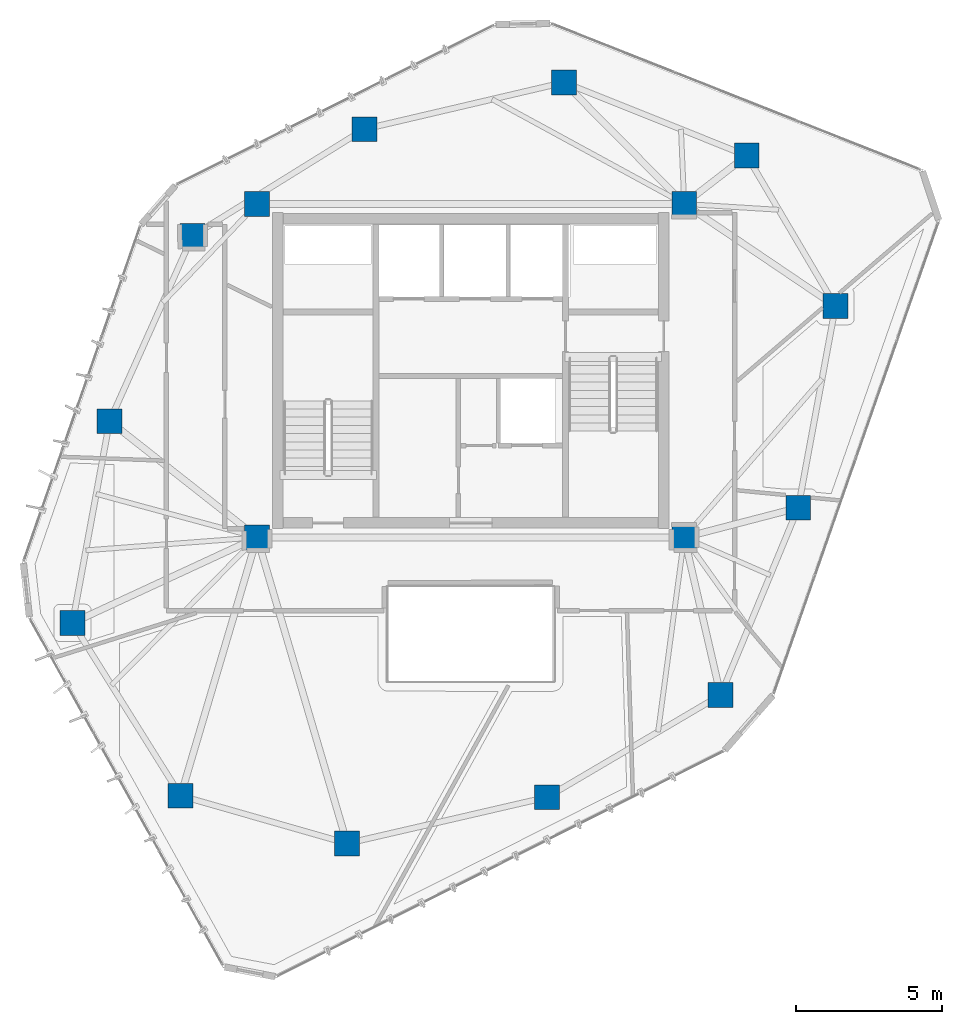
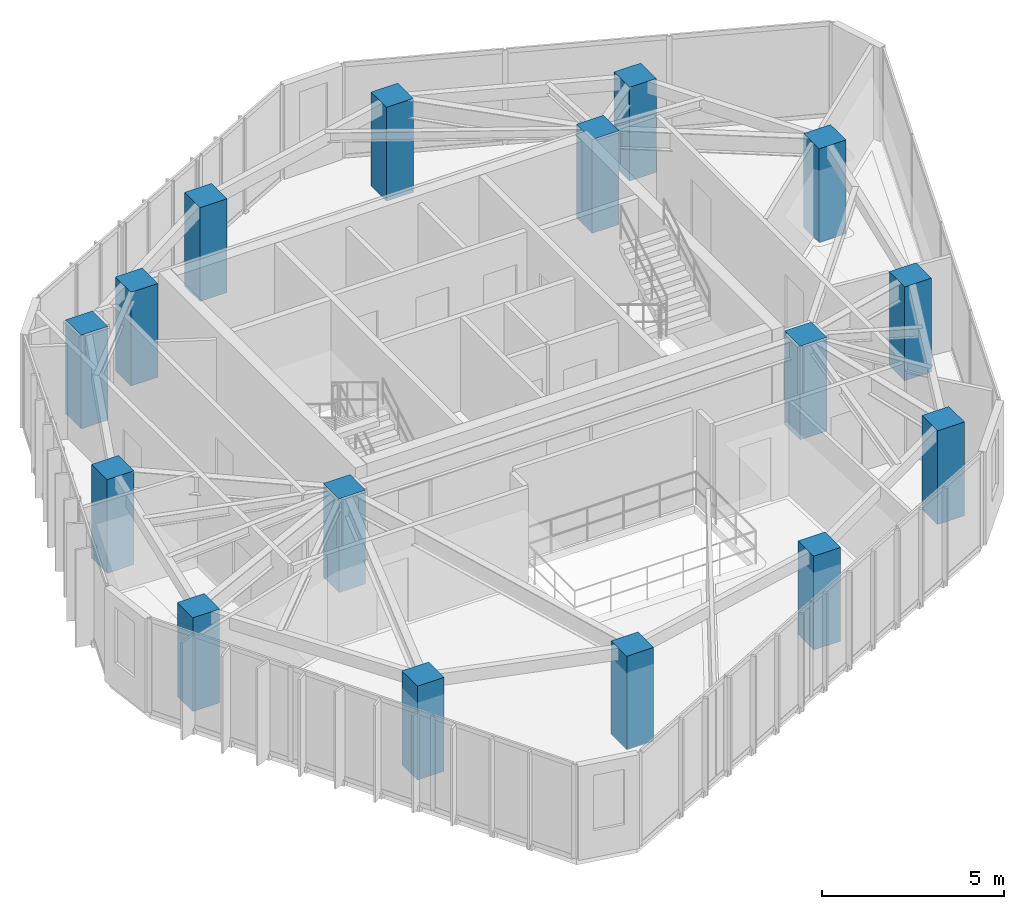
# One storey, part 1 of 21: 16 columns.
"""IFC4 building model written with IfcOpenShell, lengths in metres."""

import ifcopenshell
import ifcopenshell.guid

model = None  # the IFC model being written
_history = None  # IfcOwnerHistory: only IFC2X3 demands one
_inside = {}  # id of a spatial element -> (the spatial element, [elements in it])
_under = {}  # id of a project, library or spatial element -> (it, [spatial elements below it])
_declared = {}  # id of a project -> (the project, [libraries it declares])
_typed = {}  # id of a type object -> (the type object, [elements of that type])
_made_of = {}  # id of a material, layer set ... -> (it, [elements and type objects made of it])


def new_model(schema):
    """Start an empty IFC model of exactly this schema.

    Asked for "IFC4X3", IfcOpenShell would pick the latest addendum, in which some entities
    have other attributes; the version numbers below select the first issue.
    IFC2X3 requires an IfcOwnerHistory on every rooted entity: one is made here for all.
    """
    global model, _history
    if schema == "IFC4X3":
        model = ifcopenshell.file(schema_version=(4, 3, 0, 0))
    else:
        model = ifcopenshell.file(schema=schema)
    _inside.clear()
    _under.clear()
    _declared.clear()
    _typed.clear()
    _made_of.clear()
    _history = None
    if model.schema == "IFC2X3":
        org = make("IfcOrganization", Name="unknown")
        user = make(
            "IfcPersonAndOrganization",
            ThePerson=make("IfcPerson", FamilyName="unknown"),
            TheOrganization=org,
        )
        app = make(
            "IfcApplication",
            ApplicationDeveloper=org,
            Version="unknown",
            ApplicationFullName="unknown",
            ApplicationIdentifier="unknown",
        )
        _history = make(
            "IfcOwnerHistory",
            OwningUser=user,
            OwningApplication=app,
            ChangeAction="ADDED",
            CreationDate=0,
        )
    return model


def make(cls, **values):
    """One entity of the class cls with the attributes given. An attribute that is None is left unset."""
    return model.create_entity(
        cls, **{name: value for name, value in values.items() if value is not None}
    )


def rooted(cls, **values):
    """An entity with a GlobalId (a new one), such as an element, a storey or a relation."""
    return make(cls, GlobalId=ifcopenshell.guid.new(), OwnerHistory=_history, **values)


def si_unit(unit_type, name, prefix=None):
    """IfcSIUnit, for example si_unit("LENGTHUNIT", "METRE", prefix="MILLI")."""
    return make("IfcSIUnit", UnitType=unit_type, Prefix=prefix, Name=name)


def assignment(units):
    """IfcUnitAssignment: the units of a project."""
    return None if units is None else make("IfcUnitAssignment", Units=units)


def point(xyz):
    """IfcCartesianPoint."""
    return None if xyz is None else make("IfcCartesianPoint", Coordinates=xyz)


def direction(xyz):
    """IfcDirection."""
    return None if xyz is None else make("IfcDirection", DirectionRatios=xyz)


def frame(location, z_axis=None, x_axis=None):
    """IfcAxis2Placement3D, a coordinate frame: its origin and axes. An axis left out is left unset."""
    return make(
        "IfcAxis2Placement3D",
        Location=point(location),
        Axis=direction(z_axis),
        RefDirection=direction(x_axis),
    )


def frame_2d(location, x_axis=None):
    """IfcAxis2Placement2D, a coordinate frame in the plane: its origin and x axis."""
    return make(
        "IfcAxis2Placement2D", Location=point(location), RefDirection=direction(x_axis)
    )


def origin():
    """The frame at (0, 0, 0) with its axes left unset."""
    return frame((0.0, 0.0, 0.0))


def origin_2d():
    """The frame at (0, 0) in the plane with its x axis left unset."""
    return frame_2d((0.0, 0.0))


def place(relative_to, where):
    """IfcLocalPlacement: puts the frame where relative to a parent placement (None: the world)."""
    return make(
        "IfcLocalPlacement", PlacementRelTo=relative_to, RelativePlacement=where
    )


def context(
    kind, dimensions, precision=None, world=None, true_north=None, identifier=None
):
    """IfcGeometricRepresentationContext, for example the 3D "Model" context."""
    return make(
        "IfcGeometricRepresentationContext",
        ContextIdentifier=identifier,
        ContextType=kind,
        CoordinateSpaceDimension=dimensions,
        Precision=precision,
        WorldCoordinateSystem=world,
        TrueNorth=true_north,
    )


def subcontext(parent, identifier, kind, view, scale=None):
    """IfcGeometricRepresentationSubContext, for example "Body" below "Model"."""
    return make(
        "IfcGeometricRepresentationSubContext",
        ContextIdentifier=identifier,
        ContextType=kind,
        ParentContext=parent,
        TargetScale=scale,
        TargetView=view,
    )


def project(units=None, contexts=None):
    """IfcProject with its units and contexts."""
    return rooted(
        "IfcProject",
        Name="project",
        RepresentationContexts=contexts,
        UnitsInContext=assignment(units),
    )


def spatial(cls, under=None, at=None, **own):
    """A site, building, storey or space (cls), placed at a placement, below another one or the project."""
    s = rooted(cls, ObjectPlacement=at, **own)
    if under is not None:
        _under.setdefault(under.id(), (under, []))[1].append(s)
    return s


def profile(cls, at=None, kind="AREA", **sizes):
    """A parametric profile (cls). Its sizes go by their IFC names, for example OverallWidth=200.0."""
    return make(cls, ProfileType=kind, Position=at, **sizes)


def rectangle(**sizes):
    """IfcRectangleProfileDef."""
    return profile("IfcRectangleProfileDef", **sizes)


def extrude(swept, where, along, depth):
    """IfcExtrudedAreaSolid: the profile swept, set in the frame where, extruded along a direction by depth."""
    return make(
        "IfcExtrudedAreaSolid",
        SweptArea=swept,
        Position=where,
        ExtrudedDirection=direction(along),
        Depth=depth,
    )


def shape(context_of_items, identifier, shape_type, items):
    """IfcShapeRepresentation: the items that make up one representation, for example the "Body"."""
    return make(
        "IfcShapeRepresentation",
        ContextOfItems=context_of_items,
        RepresentationIdentifier=identifier,
        RepresentationType=shape_type,
        Items=items,
    )


def material(Name=None, Category=None):
    """IfcMaterial."""
    return make("IfcMaterial", Name=Name, Category=Category)


def material_profile(
    of_material, cross_section, Name=None, Category=None, Priority=None
):
    """IfcMaterialProfile: a cross section and its material."""
    return make(
        "IfcMaterialProfile",
        Name=Name,
        Material=of_material,
        Profile=cross_section,
        Priority=Priority,
        Category=Category,
    )


def profile_set(profiles, Name=None, composite=None):
    """IfcMaterialProfileSet."""
    return make(
        "IfcMaterialProfileSet",
        Name=Name,
        MaterialProfiles=profiles,
        CompositeProfile=composite,
    )


def made_of(thing, what):
    """Note that an element or type object is made of a material, layer set ...; save() writes the relation."""
    if what is not None:
        _made_of.setdefault(what.id(), (what, []))[1].append(thing)
    return thing


def type_object(cls, material=None, **own):
    """A type object (cls), such as IfcWallType, which elements share."""
    return made_of(rooted(cls, **own), material)


def element(
    cls,
    number,
    at=None,
    inside=None,
    cuts=None,
    type_object=None,
    material=None,
    context=None,
    identifier="Body",
    shape_type=None,
    held_by="IfcProductDefinitionShape",
    body=None,
    shapes=None,
    **own,
):
    """One element of the class cls, such as IfcWall. Its Tag is "e" and its number.

    at: its placement. inside: the storey or other place that contains it. cuts: it is an
    opening in that element (IfcRelVoidsElement). A single representation is given by context,
    identifier, shape_type and body (its items); several are given by shapes. held_by: the class
    of the entity that holds the representations. save() writes the other relations.
    """
    e = rooted(cls, Tag="e%d" % number, ObjectPlacement=at, **own)
    if body is not None:
        shapes = [shape(context, identifier, shape_type, body)]
    if shapes is not None:
        e.Representation = make(held_by, Representations=shapes)
    if inside is not None:
        _inside.setdefault(inside.id(), (inside, []))[1].append(e)
    if cuts is not None:
        rooted(
            "IfcRelVoidsElement", RelatingBuildingElement=cuts, RelatedOpeningElement=e
        )
    if type_object is not None:
        _typed.setdefault(type_object.id(), (type_object, []))[1].append(e)
    return made_of(e, material)


def aggregate(whole, parts):
    """IfcRelAggregates: a whole, such as a stair, and the parts it consists of."""
    return rooted("IfcRelAggregates", RelatingObject=whole, RelatedObjects=parts)


def save(model, path):
    """Write the relations noted so far, then the file.

    IfcRelAggregates (storeys below a building ...), IfcRelContainedInSpatialStructure (elements
    in a storey), IfcRelDefinesByType, IfcRelAssociatesMaterial and IfcRelDeclares: one each for
    every whole, place, type object, material and project.
    """
    for whole, parts in _under.values():
        aggregate(whole, parts)
    for where, things in _inside.values():
        rooted(
            "IfcRelContainedInSpatialStructure",
            RelatedElements=things,
            RelatingStructure=where,
        )
    for kind, things in _typed.values():
        rooted("IfcRelDefinesByType", RelatedObjects=things, RelatingType=kind)
    for what, things in _made_of.values():
        rooted("IfcRelAssociatesMaterial", RelatedObjects=things, RelatingMaterial=what)
    for by, libraries in _declared.values():
        rooted("IfcRelDeclares", RelatingContext=by, RelatedDefinitions=libraries)
    model.write(path)


model = new_model("IFC4")

# Units and contexts
model_context = context("Model", 3, precision=1e-05, world=origin(), true_north=direction((0.0, 1.0)))
body_context = subcontext(model_context, "Body", "Model", "MODEL_VIEW")
ifc_project = project(units=[si_unit("LENGTHUNIT", "METRE"), si_unit("AREAUNIT", "SQUARE_METRE"), si_unit("VOLUMEUNIT", "CUBIC_METRE"), si_unit("PLANEANGLEUNIT", "RADIAN"), si_unit("MASSUNIT", "GRAM", prefix="KILO")], contexts=[model_context])

# Site, building, storey
site_placement = place(None, origin())
site = spatial("IfcSite", under=ifc_project, at=site_placement, CompositionType="ELEMENT")
building_placement = place(site_placement, origin())
building = spatial("IfcBuilding", under=site, at=building_placement, Name="Talar Marvaseh", CompositionType="ELEMENT")
storey_placement = place(building_placement, frame((0.0, 0.0, 264.60009765625)))
storey = spatial("IfcBuildingStorey", under=building, at=storey_placement, Name="L70", CompositionType="ELEMENT", Elevation=264.60009765625)

# Columns
ifc_material = material(Name="Concrete C50/60", Category="concrete")
ifc_material_profile = material_profile(ifc_material, rectangle(XDim=0.85009765625, YDim=0.85009765625, at=origin_2d()), Name="RC850x850")
ifc_profile_set = profile_set([ifc_material_profile], Name="Concrete C50/60")
column_type = type_object("IfcColumnType", Name="Zone 4 Tube Column RC850x850", PredefinedType="COLUMN", material=ifc_profile_set)
for number, where, z_axis, x_axis, name in (
    (1, (12.388916015625, 22.576904296875, 0.0), (0.0, 0.0, 1.0), (1.0, 0.0, 0.0), "L70 Zone 4 Tube Column RC850x850"),
    (2, (13.657958984375, 29.469970703125, 0.0), (0.0, 0.0, 1.0), (1.0, 0.0, 0.0), "L70 Zone 4 Tube Column RC850x850"),
    (3, (16.493896484375, 35.806884765625, 0.0), (0.0, 0.0, 1.0), (1.0, 0.0, 0.0), "L70 Zone 4 Tube Column RC850x850"),
    (4, (22.364990234375, 39.4541015625, 0.0), (0.0, 0.0, 1.0), (1.0, 0.0, 0.0), "L70 Zone 4 Tube Column RC850x850"),
    (5, (29.18798828125, 41.052001953125, 0.0), (0.0, 0.0, 1.0), (1.0, 0.0, 0.0), "L70 Zone 4 Tube Column RC850x850"),
    (6, (35.43798828125, 38.551025390625, 0.0), (0.0, 0.0, 1.0), (1.0, 0.0, 0.0), "L70 Zone 4 Tube Column RC850x850"),
    (7, (38.470947265625, 33.406005859375, 0.0), (0.0, 0.0, 1.0), (1.0, 0.0, 0.0), "L70 Zone 4 Tube Column RC850x850"),
    (8, (37.197021484375, 26.513916015625, 0.0), (0.0, 0.0, 1.0), (1.0, 0.0, 0.0), "L70 Zone 4 Tube Column RC850x850"),
    (9, (34.5439453125, 20.111083984375, 0.0), (0.0, 0.0, 1.0), (1.0, 0.0, 0.0), "L70 Zone 4 Tube Column RC850x850"),
    (10, (28.60498046875, 16.616943359375, 0.0), (0.0, 0.0, 1.0), (1.0, 0.0, 0.0), "L70 Zone 4 Tube Column RC850x850"),
    (11, (21.77587890625, 15.0400390625, 0.0), (0.0, 0.0, 1.0), (1.0, 0.0, 0.0), "L70 Zone 4 Tube Column RC850x850"),
    (12, (16.0869140625, 16.66796875, 0.0), (0.0, 0.0, 1.0), (1.0, 0.0, 0.0), "L70 Zone 4 Tube Column RC850x850"),
    (13, (18.699951171875, 25.5, 0.0), (0.0, 0.0, 1.0), (1.0, 0.0, 0.0), "L70 Zone 4 Tube Column RC850x850"),
    (14, (33.300048828125, 25.5, 0.0), (0.0, 0.0, 1.0), (1.0, 0.0, 0.0), "L70 Zone 4 Tube Column RC850x850"),
    (15, (33.300048828125, 36.89990234375, 0.0), (0.0, 0.0, 1.0), (1.0, 0.0, 0.0), "L70 Zone 4 Tube Column RC850x850"),
    (16, (18.699951171875, 36.89990234375, 0.0), (0.0, 0.0, 1.0), (1.0, 0.0, 0.0), "L70 Zone 4 Tube Column RC850x850"),
):
    element("IfcColumn", number, at=place(storey_placement, frame(where, z_axis=z_axis, x_axis=x_axis)), inside=storey, type_object=column_type, Name=name, PredefinedType="COLUMN", context=body_context, shape_type="SweptSolid", body=[
        extrude(rectangle(XDim=0.85009765625, YDim=0.85009765625, at=origin_2d()), origin(), (0.0, 0.0, 1.0), 3.139892578125),
    ])

save(model, "model.ifc")
